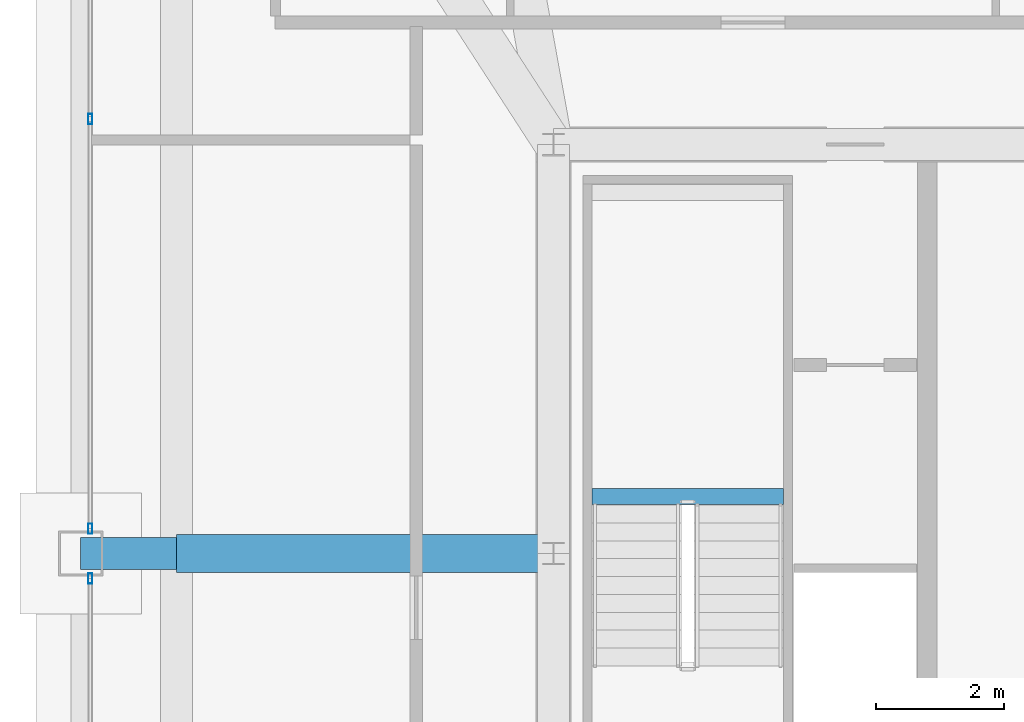
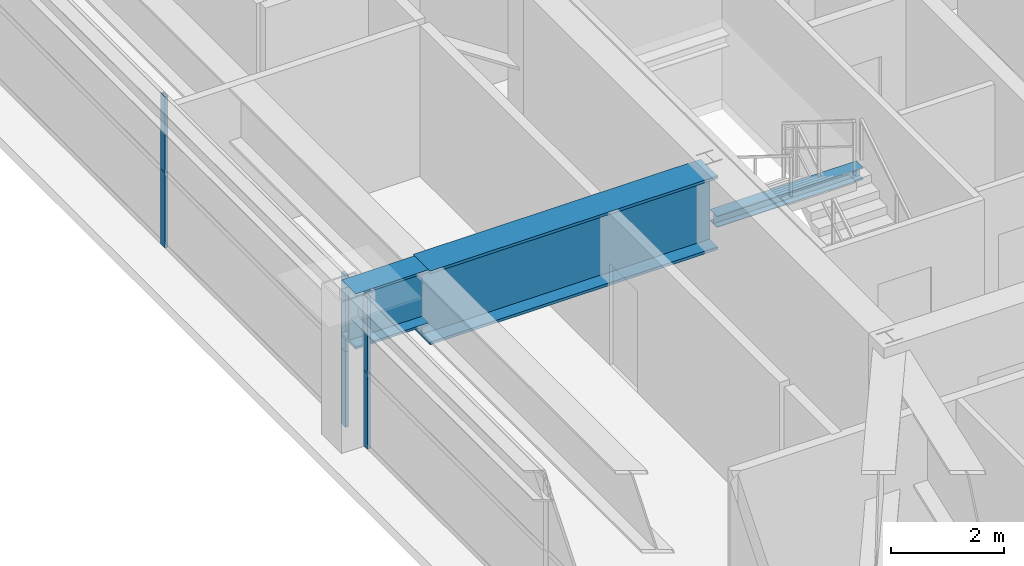
# One storey, part 12 of 33: 6 members, 3 beams, 2 elements without a shape of their own.
"""IFC4 building model written with IfcOpenShell, lengths in metres."""

from ifc_helpers import new_model, si_unit, direction, frame, origin, origin_2d, place, context, subcontext, project, spatial, hollow_rectangle, i_section, extrude, source, transform, mapped, material, layer, layer_set, material_profile, profile_set, type_object, element, aggregate, save


model = new_model("IFC4")

# Units and contexts
model_context = context("Model", 3, precision=1e-05, world=origin(), true_north=direction((0.0, 1.0)))
body_context = subcontext(model_context, "Body", "Model", "MODEL_VIEW")
ifc_project = project(units=[si_unit("LENGTHUNIT", "METRE"), si_unit("AREAUNIT", "SQUARE_METRE"), si_unit("VOLUMEUNIT", "CUBIC_METRE"), si_unit("PLANEANGLEUNIT", "RADIAN"), si_unit("MASSUNIT", "GRAM", prefix="KILO"), si_unit("THERMODYNAMICTEMPERATUREUNIT", "KELVIN"), si_unit("POWERUNIT", "WATT")], contexts=[model_context])

# Site, building, storey
site_placement = place(None, origin())
site = spatial("IfcSite", under=ifc_project, at=site_placement, CompositionType="ELEMENT")
building_placement = place(site_placement, origin())
building = spatial("IfcBuilding", under=site, at=building_placement, Name="Yuzanri Waterfront Tower", CompositionType="ELEMENT")
storey_placement = place(building_placement, frame((0.0, 0.0, 282.10009765625)))
storey = spatial("IfcBuildingStorey", under=building, at=storey_placement, Name="L75", CompositionType="ELEMENT", Elevation=282.10009765625)

# Beams
ifc_material_1 = material(Name="Steel Q420GJC", Category="steel")
ifc_material_profile_1 = material_profile(ifc_material_1, i_section(OverallWidth=0.5, OverallDepth=1.199951171875, WebThickness=0.028076171875, FlangeThickness=0.050048828125, at=origin_2d()), Name="PG 1200x500x28x50")
ifc_profile_set_1 = profile_set([ifc_material_profile_1], Name="Steel Q420GJC")
beam_type_1 = type_object("IfcBeamType", Name="Setback Transfer Girder Q420GJC PG 1200x500", PredefinedType="USERDEFINED", material=ifc_profile_set_1)
shared_shape_1 = source(origin(), body_context, "Body", "SweptSolid", [
    extrude(i_section(OverallWidth=0.5, OverallDepth=1.199951171875, WebThickness=0.028076171875, FlangeThickness=0.050048828125, at=origin_2d()), origin(), (0.0, 0.0, 1.0), 1.5),
])
beam_1_placement = place(storey_placement, frame((17.89990234375, 25.800048828125, 2.679931640625), z_axis=(-1.0, 0.0, 0.0), x_axis=(0.0, -1.0, 0.0)))
element("IfcBeam", 1, at=beam_1_placement, inside=storey, type_object=beam_type_1, Name="L75 Setback Step Transfer W2", ObjectType="GIRDER", PredefinedType="USERDEFINED", context=body_context, shape_type="MappedRepresentation", body=[
    mapped(shared_shape_1, transform((0.0, 0.0, 0.0), scale=1.0)),
])
ifc_material_2 = material(Name="Steel Q420GJC", Category="steel")
ifc_material_profile_2 = material_profile(ifc_material_2, i_section(OverallWidth=0.60009765625, OverallDepth=1.60009765625, WebThickness=0.031982421875, FlangeThickness=0.06005859375, at=origin_2d()), Name="PG 1600x600x32x60")
ifc_profile_set_2 = profile_set([ifc_material_profile_2], Name="Steel Q420GJC")
beam_type_2 = type_object("IfcBeamType", Name="Ballroom Transfer Girder Q420GJC PG 1600x600", PredefinedType="USERDEFINED", material=ifc_profile_set_2)
shared_shape_2 = source(origin(), body_context, "Body", "SweptSolid", [
    extrude(i_section(OverallWidth=0.60009765625, OverallDepth=1.60009765625, WebThickness=0.031982421875, FlangeThickness=0.06005859375, at=origin_2d()), origin(), (0.0, 0.0, 1.0), 5.900146484375),
])
beam_2_placement = place(storey_placement, frame((23.800048828125, 25.800048828125, 2.47998046875), z_axis=(-1.0, 0.0, 0.0), x_axis=(0.0, -1.0, 0.0)))
element("IfcBeam", 2, at=beam_2_placement, inside=storey, type_object=beam_type_2, Name="L75 Setback Inner Transfer W2", ObjectType="GIRDER", PredefinedType="USERDEFINED", context=body_context, shape_type="MappedRepresentation", body=[
    mapped(shared_shape_2, transform((0.0, 0.0, 0.0), scale=1.0)),
])

# Curtain wall, members
ifc_material_3 = material(Name="Anodized Architectural Bronze", Category="metal")
ifc_layer = layer(ifc_material_3, 0.159912109375)
ifc_layer_set = layer_set([ifc_layer], Name="Anodized Architectural Bronze")
curtain_wall_type = type_object("IfcCurtainWallType", Name="Anodized Bronze Mid-Rise Residential Acoustic Unitized Curtain Wall 7200", PredefinedType="NOTDEFINED", material=ifc_layer_set)
curtain_wall_1_placement = place(storey_placement, origin())
curtain_wall_1 = element("IfcCurtainWall", 3, at=curtain_wall_1_placement, inside=storey, type_object=curtain_wall_type, Name="L75 Curtain Wall CW-L75-WL", PredefinedType="NOTDEFINED")
ifc_material_4 = material(Name="Anodized Architectural Bronze", Category="metal")
ifc_material_profile_3 = material_profile(ifc_material_4, hollow_rectangle(XDim=0.06494140625, YDim=0.159912109375, WallThickness=0.00341796875, at=origin_2d()), Name="CWM 65x160")
ifc_profile_set_3 = profile_set([ifc_material_profile_3], Name="Anodized Architectural Bronze")
member_type = type_object("IfcMemberType", Name="Anodized Bronze Upper-Zone Curtain-Wall Mullion 65x160", PredefinedType="MULLION", material=ifc_profile_set_3)
shared_shape_3 = source(origin(), body_context, "Body", "SweptSolid", [
    extrude(hollow_rectangle(XDim=0.06494140625, YDim=0.159912109375, WallThickness=0.00341796875, at=origin_2d()), origin(), (0.0, 0.0, 1.0), 1.637939453125),
])
member_1_placement = place(storey_placement, frame((16.550048828125, 25.409912109375, 0.0), z_axis=(0.0, 0.0, 1.0), x_axis=(1.0, 0.0, 0.0)))
member_1 = element("IfcMember", 4, at=member_1_placement, type_object=member_type, Name="CW-L75-WL Lower Mullion 02", PredefinedType="MULLION", context=body_context, shape_type="MappedRepresentation", body=[
    mapped(shared_shape_3, transform((0.0, 0.0, 0.0), scale=1.0)),
])
member_2_placement = place(storey_placement, frame((16.550048828125, 25.409912109375, 1.641845703125), z_axis=(0.0, 0.0, 1.0), x_axis=(1.0, 0.0, 0.0)))
member_2 = element("IfcMember", 5, at=member_2_placement, type_object=member_type, Name="CW-L75-WL Upper Mullion 02", PredefinedType="MULLION", context=body_context, shape_type="MappedRepresentation", body=[
    mapped(shared_shape_3, transform((0.0, 0.0, 0.0), scale=1.0)),
])
aggregate(curtain_wall_1, [member_1, member_2])

curtain_wall_2_placement = place(storey_placement, origin())
curtain_wall_2 = element("IfcCurtainWall", 6, at=curtain_wall_2_placement, inside=storey, type_object=curtain_wall_type, Name="L75 Curtain Wall CW-L75-WR", PredefinedType="NOTDEFINED")
member_3_placement = place(storey_placement, frame((16.550048828125, 26.18994140625, 0.0), z_axis=(0.0, 0.0, 1.0), x_axis=(1.0, 0.0, 0.0)))
member_3 = element("IfcMember", 7, at=member_3_placement, type_object=member_type, Name="CW-L75-WR Lower Mullion 00", PredefinedType="MULLION", context=body_context, shape_type="MappedRepresentation", body=[
    mapped(shared_shape_3, transform((0.0, 0.0, 0.0), scale=1.0)),
])
member_4_placement = place(storey_placement, frame((16.550048828125, 26.18994140625, 1.641845703125), z_axis=(0.0, 0.0, 1.0), x_axis=(1.0, 0.0, 0.0)))
member_4 = element("IfcMember", 8, at=member_4_placement, type_object=member_type, Name="CW-L75-WR Upper Mullion 00", PredefinedType="MULLION", context=body_context, shape_type="MappedRepresentation", body=[
    mapped(shared_shape_3, transform((0.0, 0.0, 0.0), scale=1.0)),
])
member_5_placement = place(storey_placement, frame((16.550048828125, 32.60009765625, 0.0), z_axis=(0.0, 0.0, 1.0), x_axis=(1.0, 0.0, 0.0)))
member_5 = element("IfcMember", 9, at=member_5_placement, type_object=member_type, Name="CW-L75-WR Lower Mullion 01", PredefinedType="MULLION", context=body_context, shape_type="MappedRepresentation", body=[
    mapped(shared_shape_3, transform((0.0, 0.0, 0.0), scale=1.0)),
])
member_6_placement = place(storey_placement, frame((16.550048828125, 32.60009765625, 1.641845703125), z_axis=(0.0, 0.0, 1.0), x_axis=(1.0, 0.0, 0.0)))
member_6 = element("IfcMember", 10, at=member_6_placement, type_object=member_type, Name="CW-L75-WR Upper Mullion 01", PredefinedType="MULLION", context=body_context, shape_type="MappedRepresentation", body=[
    mapped(shared_shape_3, transform((0.0, 0.0, 0.0), scale=1.0)),
])
aggregate(curtain_wall_2, [member_3, member_4, member_5, member_6])

# Beam
ifc_material_5 = material(Name="Steel Q355B", Category="steel")
ifc_material_profile_4 = material_profile(ifc_material_5, i_section(OverallWidth=0.25, OverallDepth=0.25, WebThickness=0.009033203125, FlangeThickness=0.013916015625, at=origin_2d()), Name="HW 250x250x9x14")
ifc_profile_set_4 = profile_set([ifc_material_profile_4], Name="Steel Q355B")
beam_type_3 = type_object("IfcBeamType", Name="Stair Landing Support Beam Q355B HW 250x250", PredefinedType="BEAM", material=ifc_profile_set_4)
shared_shape_4 = source(origin(), body_context, "Body", "SweptSolid", [
    extrude(i_section(OverallWidth=0.25, OverallDepth=0.25, WebThickness=0.009033203125, FlangeThickness=0.013916015625, at=origin_2d()), origin(), (0.0, 0.0, 1.0), 3.0),
])
beam_3_placement = place(storey_placement, frame((24.39990234375, 26.68994140625, 1.4248046875), z_axis=(1.0, 0.0, 0.0), x_axis=(0.0, 1.0, 0.0)))
element("IfcBeam", 11, at=beam_3_placement, inside=storey, type_object=beam_type_3, Name="L75 Stair Landing Support Beam ST-01-L75-L1-1", PredefinedType="BEAM", context=body_context, shape_type="MappedRepresentation", body=[
    mapped(shared_shape_4, transform((0.0, 0.0, 0.0), scale=1.0)),
])

save(model, "model.ifc")
